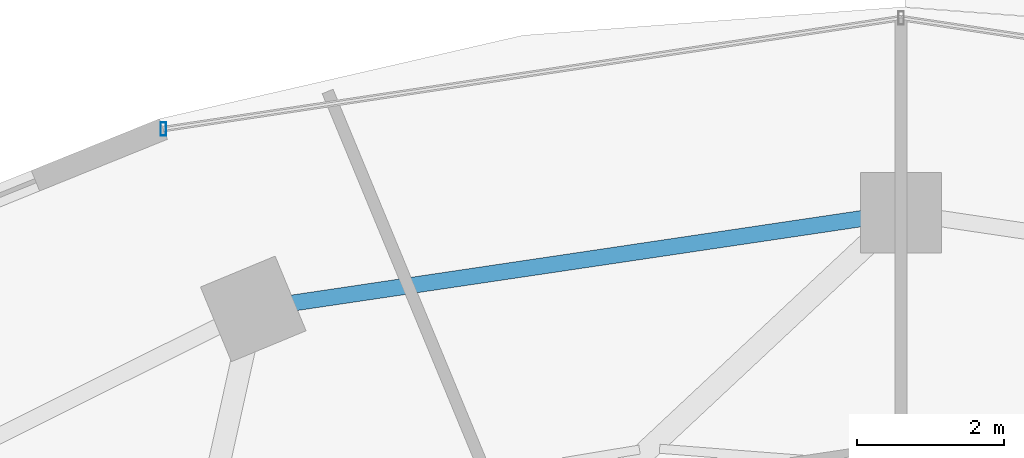
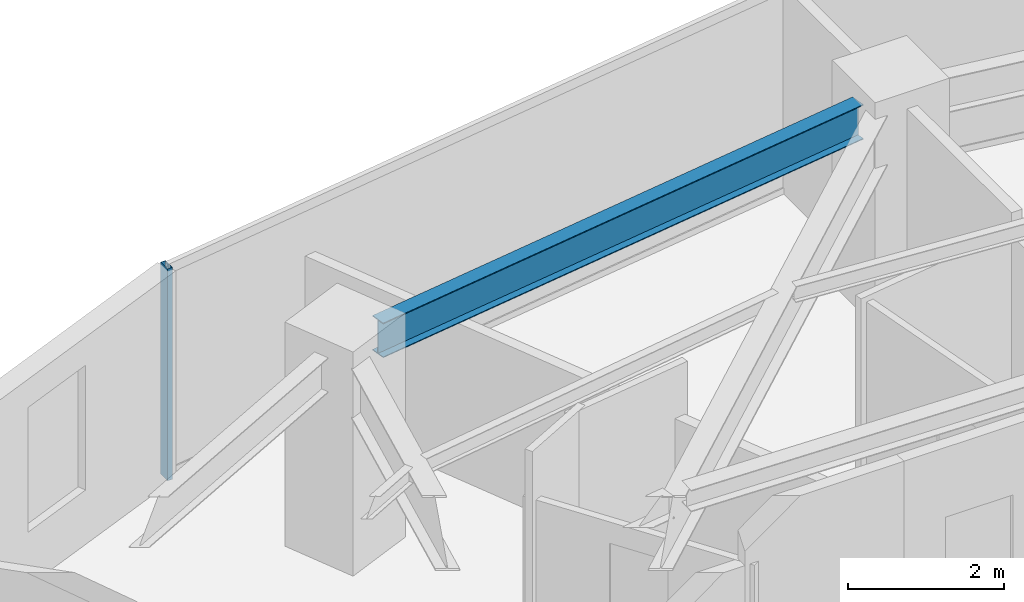
# One storey, part 19 of 31: 1 beam, 1 member, 1 element without a shape of its own.
"""IFC4 building model written with IfcOpenShell, lengths in metres."""

from ifc_helpers import new_model, si_unit, direction, frame, origin, origin_2d, place, context, subcontext, project, spatial, hollow_rectangle, i_section, extrude, material, material_profile, profile_set, type_object, element, aggregate, save


model = new_model("IFC4")

# Units and contexts
model_context = context("Model", 3, precision=1e-05, world=origin(), true_north=direction((0.0, 1.0)))
body_context = subcontext(model_context, "Body", "Model", "MODEL_VIEW")
ifc_project = project(units=[si_unit("LENGTHUNIT", "METRE"), si_unit("AREAUNIT", "SQUARE_METRE"), si_unit("VOLUMEUNIT", "CUBIC_METRE"), si_unit("PLANEANGLEUNIT", "RADIAN"), si_unit("MASSUNIT", "GRAM", prefix="KILO")], contexts=[model_context])

# Site, building, storey
site_placement = place(None, origin())
site = spatial("IfcSite", under=ifc_project, at=site_placement, CompositionType="ELEMENT")
building_placement = place(site_placement, origin())
building = spatial("IfcBuilding", under=site, at=building_placement, Name="Vorneva Point Tower", CompositionType="ELEMENT")
storey_placement = place(building_placement, frame((0.0, 0.0, 103.300048828125)))
storey = spatial("IfcBuildingStorey", under=building, at=storey_placement, Name="L27", CompositionType="ELEMENT", Elevation=103.300048828125)

# Beam
ifc_material_1 = material(Name="Steel S355", Category="steel")
ifc_material_profile_1 = material_profile(ifc_material_1, i_section(OverallWidth=0.219970703125, OverallDepth=0.54296875, WebThickness=0.009521484375, FlangeThickness=0.013427734375, at=origin_2d()), Name="55B1")
ifc_profile_set_1 = profile_set([ifc_material_profile_1], Name="Steel S355")
beam_type = type_object("IfcBeamType", Name="BM-SPN-55B1", PredefinedType="SPANDREL", material=ifc_profile_set_1)
beam_placement = place(storey_placement, frame((37.470703125, 43.121337890625, 2.968505859375), z_axis=(-0.989164507783, -0.146811363806, 0.0), x_axis=(0.146811363806, -0.989164507783, 0.0)))
element("IfcBeam", 1, at=beam_placement, inside=storey, type_object=beam_type, Name="L27 Perimeter Spandrel Ring Beam 05", PredefinedType="SPANDREL", context=body_context, shape_type="SweptSolid", body=[
    extrude(i_section(OverallWidth=0.219970703125, OverallDepth=0.54296875, WebThickness=0.009521484375, FlangeThickness=0.013427734375, at=origin_2d()), origin(), (0.0, 0.0, 1.0), 7.847412109375),
])

# Curtain wall, member
ifc_material_2 = material(Name="Pale anodised aluminium", Category="aluminium")
curtain_wall_type = type_object("IfcCurtainWallType", Name="CW-HTL-SYS", PredefinedType="NOTDEFINED", material=ifc_material_2)
curtain_wall_placement = place(storey_placement, origin())
curtain_wall = element("IfcCurtainWall", 2, at=curtain_wall_placement, inside=storey, type_object=curtain_wall_type, Name="L27 Unitised Curtain Wall CW-L27-R02", PredefinedType="NOTDEFINED")
ifc_material_profile_2 = material_profile(ifc_material_2, hollow_rectangle(XDim=0.074951171875, YDim=0.179931640625, WallThickness=0.00390625, at=origin_2d()), Name="AL-MUL 180x75x4")
ifc_profile_set_2 = profile_set([ifc_material_profile_2], Name="Pale anodised aluminium")
member_type = type_object("IfcMemberType", Name="CW-MUL-180", PredefinedType="MULLION", material=ifc_profile_set_2)
member_placement = place(storey_placement, frame((27.95458984375, 44.339111328125, -0.0400390625), z_axis=(0.0, 0.0, 1.0), x_axis=(1.0, 0.0, 0.0)))
member = element("IfcMember", 3, at=member_placement, type_object=member_type, Name="CW-L27-R02 Mullion 04", PredefinedType="MULLION", context=body_context, shape_type="SweptSolid", body=[
    extrude(hollow_rectangle(XDim=0.074951171875, YDim=0.179931640625, WallThickness=0.00390625, at=origin_2d()), origin(), (0.0, 0.0, 1.0), 3.31005859375),
])
aggregate(curtain_wall, [member])

save(model, "model.ifc")
